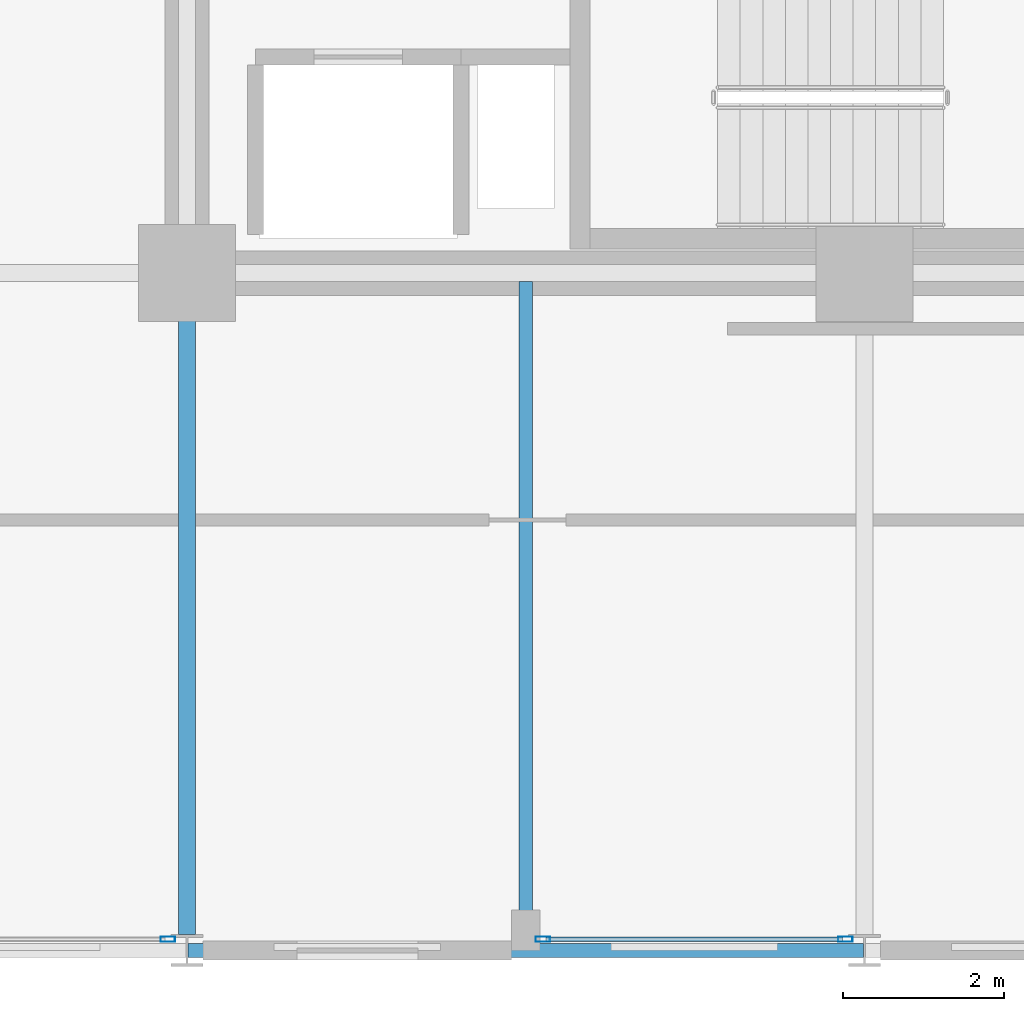
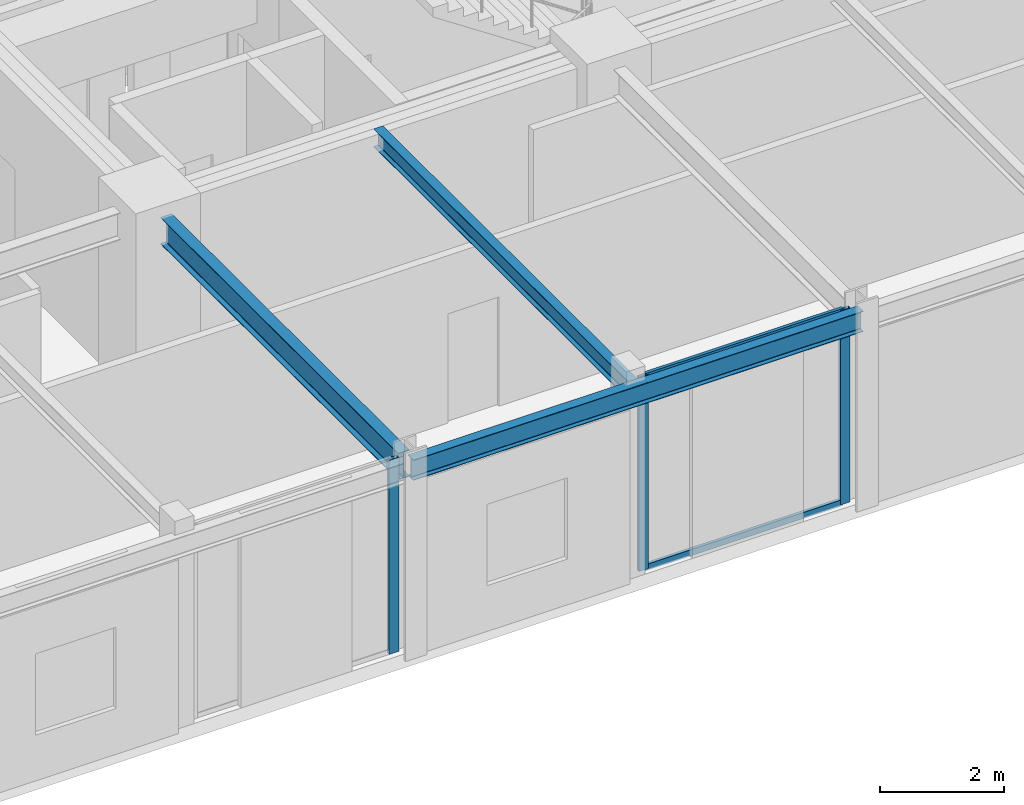
# One storey, part 6 of 29: 5 members, 3 beams, 2 elements without a shape of their own.
"""IFC4 building model written with IfcOpenShell, lengths in metres."""

from ifc_helpers import new_model, si_unit, direction, frame, origin, origin_2d, place, context, subcontext, project, spatial, hollow_rectangle, i_section, extrude, material, layer, layer_set, material_profile, profile_set, type_object, element, aggregate, save


model = new_model("IFC4")

# Units and contexts
model_context = context("Model", 3, precision=1e-05, world=origin(), true_north=direction((0.0, 1.0)))
body_context = subcontext(model_context, "Body", "Model", "MODEL_VIEW")
ifc_project = project(units=[si_unit("LENGTHUNIT", "METRE"), si_unit("AREAUNIT", "SQUARE_METRE"), si_unit("VOLUMEUNIT", "CUBIC_METRE"), si_unit("PLANEANGLEUNIT", "RADIAN"), si_unit("MASSUNIT", "GRAM", prefix="KILO")], contexts=[model_context])

# Site, building, storey
site_placement = place(None, origin())
site = spatial("IfcSite", under=ifc_project, at=site_placement, CompositionType="ELEMENT")
building_placement = place(site_placement, origin())
building = spatial("IfcBuilding", under=site, at=building_placement, Name="Nerrivon Quay Data Exchange", CompositionType="ELEMENT")
storey_placement = place(building_placement, frame((0.0, 0.0, 150.0)))
storey = spatial("IfcBuildingStorey", under=building, at=storey_placement, Name="L35", CompositionType="ELEMENT", Elevation=150.0)

# Beams
ifc_material_1 = material(Name="Steel Grade 350", Category="steel")
ifc_material_profile_1 = material_profile(ifc_material_1, i_section(OverallWidth=0.208984375, OverallDepth=0.528076171875, WebThickness=0.009521484375, FlangeThickness=0.01318359375, FilletRadius=0.013916015625, at=origin_2d()), Name="530UB82.0")
ifc_profile_set_1 = profile_set([ifc_material_profile_1], Name="Steel Grade 350")
beam_type_1 = type_object("IfcBeamType", Name="BM-G4-530UB82", PredefinedType="BEAM", material=ifc_profile_set_1)
beam_1_placement = place(storey_placement, frame((16.800048828125, 0.199951171875, 3.56103515625), z_axis=(0.0, 1.0, 0.0), x_axis=(-1.0, 0.0, 0.0)))
element("IfcBeam", 1, at=beam_1_placement, inside=storey, type_object=beam_type_1, Name="L35 NS Girder X=16.8 (0.0..8.4)", PredefinedType="BEAM", context=body_context, shape_type="SweptSolid", body=[
    extrude(i_section(OverallWidth=0.208984375, OverallDepth=0.528076171875, WebThickness=0.009521484375, FlangeThickness=0.01318359375, FilletRadius=0.013916015625, at=origin_2d()), origin(), (0.0, 0.0, 1.0), 7.66015625),
])
ifc_material_profile_2 = material_profile(ifc_material_1, i_section(OverallWidth=0.1708984375, OverallDepth=0.35595703125, WebThickness=0.00732421875, FlangeThickness=0.011474609375, FilletRadius=0.011474609375, at=origin_2d()), Name="360UB50.7")
ifc_profile_set_2 = profile_set([ifc_material_profile_2], Name="Steel Grade 350")
beam_type_2 = type_object("IfcBeamType", Name="BM-J4-360UB51", PredefinedType="JOIST", material=ifc_profile_set_2)
beam_2_placement = place(storey_placement, frame((21.0, 0.089111328125, 3.64697265625), z_axis=(0.0, 1.0, 0.0), x_axis=(-1.0, 0.0, 0.0)))
element("IfcBeam", 2, at=beam_2_placement, inside=storey, type_object=beam_type_2, Name="L35 Secondary Joist X=21.0 (0.0..8.4)", PredefinedType="JOIST", context=body_context, shape_type="SweptSolid", body=[
    extrude(i_section(OverallWidth=0.1708984375, OverallDepth=0.35595703125, WebThickness=0.00732421875, FlangeThickness=0.011474609375, FilletRadius=0.011474609375, at=origin_2d()), origin(), (0.0, 0.0, 1.0), 8.206298828125),
])
ifc_material_profile_3 = material_profile(ifc_material_1, i_section(OverallWidth=0.177978515625, OverallDepth=0.403076171875, WebThickness=0.007568359375, FlangeThickness=0.010986328125, FilletRadius=0.011474609375, at=origin_2d()), Name="410UB53.7")
ifc_profile_set_3 = profile_set([ifc_material_profile_3], Name="Steel Grade 350")
beam_type_3 = type_object("IfcBeamType", Name="BM-SP2-410UB54", PredefinedType="SPANDREL", material=ifc_profile_set_3)
beam_3_placement = place(storey_placement, frame((16.8125, 0.0, 3.62353515625), z_axis=(1.0, 0.0, 0.0), x_axis=(0.0, 1.0, 0.0)))
element("IfcBeam", 3, at=beam_3_placement, inside=storey, type_object=beam_type_3, Name="L35 EW Girder Y=0.0 (16.8..25.2)", PredefinedType="SPANDREL", context=body_context, shape_type="SweptSolid", body=[
    extrude(i_section(OverallWidth=0.177978515625, OverallDepth=0.403076171875, WebThickness=0.007568359375, FlangeThickness=0.010986328125, FilletRadius=0.011474609375, at=origin_2d()), origin(), (0.0, 0.0, 1.0), 8.375),
])

# Curtain wall, members
ifc_material_2 = material(Name="Anodised aluminium 6063-T6", Category="aluminium")
ifc_layer = layer(ifc_material_2, 0.2099609375)
ifc_layer_set = layer_set([ifc_layer], Name="Anodised aluminium 6063-T6")
curtain_wall_type = type_object("IfcCurtainWallType", Name="CW-SYS-02", PredefinedType="NOTDEFINED", material=ifc_layer_set)
curtain_wall_1_placement = place(storey_placement, origin())
curtain_wall_1 = element("IfcCurtainWall", 4, at=curtain_wall_1_placement, inside=storey, type_object=curtain_wall_type, Name="L35 Unitised Curtain Wall 4", PredefinedType="NOTDEFINED")
ifc_material_profile_4 = material_profile(ifc_material_2, hollow_rectangle(XDim=0.06494140625, YDim=0.179931640625, WallThickness=0.00341796875, at=origin_2d()), Name="ALU-MULL-180x65")
ifc_profile_set_4 = profile_set([ifc_material_profile_4], Name="Anodised aluminium 6063-T6")
member_type_1 = type_object("IfcMemberType", Name="CWM-180x65", PredefinedType="MULLION", material=ifc_profile_set_4)
member_1_placement = place(storey_placement, frame((24.96240234375, 0.139892578125, 0.0), z_axis=(0.0, 0.0, 1.0), x_axis=(0.0, -1.0, 0.0)))
member_1 = element("IfcMember", 5, at=member_1_placement, type_object=member_type_1, Name="CW02 mullion 1", PredefinedType="MULLION", context=body_context, shape_type="SweptSolid", body=[
    extrude(hollow_rectangle(XDim=0.06494140625, YDim=0.179931640625, WallThickness=0.00341796875, at=origin_2d()), origin(), (0.0, 0.0, 1.0), 3.824951171875),
])
member_2_placement = place(storey_placement, frame((21.21240234375, 0.139892578125, 0.0), z_axis=(0.0, 0.0, 1.0), x_axis=(0.0, -1.0, 0.0)))
member_2 = element("IfcMember", 6, at=member_2_placement, type_object=member_type_1, Name="CW02 mullion 2", PredefinedType="MULLION", context=body_context, shape_type="SweptSolid", body=[
    extrude(hollow_rectangle(XDim=0.06494140625, YDim=0.179931640625, WallThickness=0.00341796875, at=origin_2d()), origin(), (0.0, 0.0, 1.0), 3.824951171875),
])

# Curtain wall, member
curtain_wall_2_placement = place(storey_placement, origin())
curtain_wall_2 = element("IfcCurtainWall", 7, at=curtain_wall_2_placement, inside=storey, type_object=curtain_wall_type, Name="L35 Unitised Curtain Wall 6", PredefinedType="NOTDEFINED")
member_3_placement = place(storey_placement, frame((16.5625, 0.139892578125, 0.0), z_axis=(0.0, 0.0, 1.0), x_axis=(0.0, -1.0, 0.0)))
member_3 = element("IfcMember", 8, at=member_3_placement, type_object=member_type_1, Name="CW02 mullion 1", PredefinedType="MULLION", context=body_context, shape_type="SweptSolid", body=[
    extrude(hollow_rectangle(XDim=0.06494140625, YDim=0.179931640625, WallThickness=0.00341796875, at=origin_2d()), origin(), (0.0, 0.0, 1.0), 3.824951171875),
])
aggregate(curtain_wall_2, [member_3])

# Member
ifc_material_profile_5 = material_profile(ifc_material_2, hollow_rectangle(XDim=0.06005859375, YDim=0.1201171875, WallThickness=0.003173828125, at=origin_2d()), Name="ALU-TRAN-120x60")
ifc_profile_set_5 = profile_set([ifc_material_profile_5], Name="Anodised aluminium 6063-T6")
member_type_2 = type_object("IfcMemberType", Name="CWT-120x60", PredefinedType="USERDEFINED", material=ifc_profile_set_5)
member_4_placement = place(storey_placement, frame((24.925048828125, 0.139892578125, 0.032470703125), z_axis=(-1.0, 0.0, 0.0), x_axis=(0.0, -1.0, 0.0)))
member_4 = element("IfcMember", 9, at=member_4_placement, type_object=member_type_2, Name="CW02 transom 1.1", ObjectType="TRANSOM", PredefinedType="USERDEFINED", context=body_context, shape_type="SweptSolid", body=[
    extrude(hollow_rectangle(XDim=0.06005859375, YDim=0.1201171875, WallThickness=0.003173828125, at=origin_2d()), origin(), (0.0, 0.0, 1.0), 3.675048828125),
])

member_5_placement = place(storey_placement, frame((24.925048828125, 0.139892578125, 3.79248046875), z_axis=(-1.0, 0.0, 0.0), x_axis=(0.0, -1.0, 0.0)))
member_5 = element("IfcMember", 10, at=member_5_placement, type_object=member_type_2, Name="CW02 transom 1.2", ObjectType="TRANSOM", PredefinedType="USERDEFINED", context=body_context, shape_type="SweptSolid", body=[
    extrude(hollow_rectangle(XDim=0.06005859375, YDim=0.1201171875, WallThickness=0.003173828125, at=origin_2d()), origin(), (0.0, 0.0, 1.0), 3.675048828125),
])

aggregate(curtain_wall_1, [member_1, member_2, member_4, member_5])

save(model, "model.ifc")
